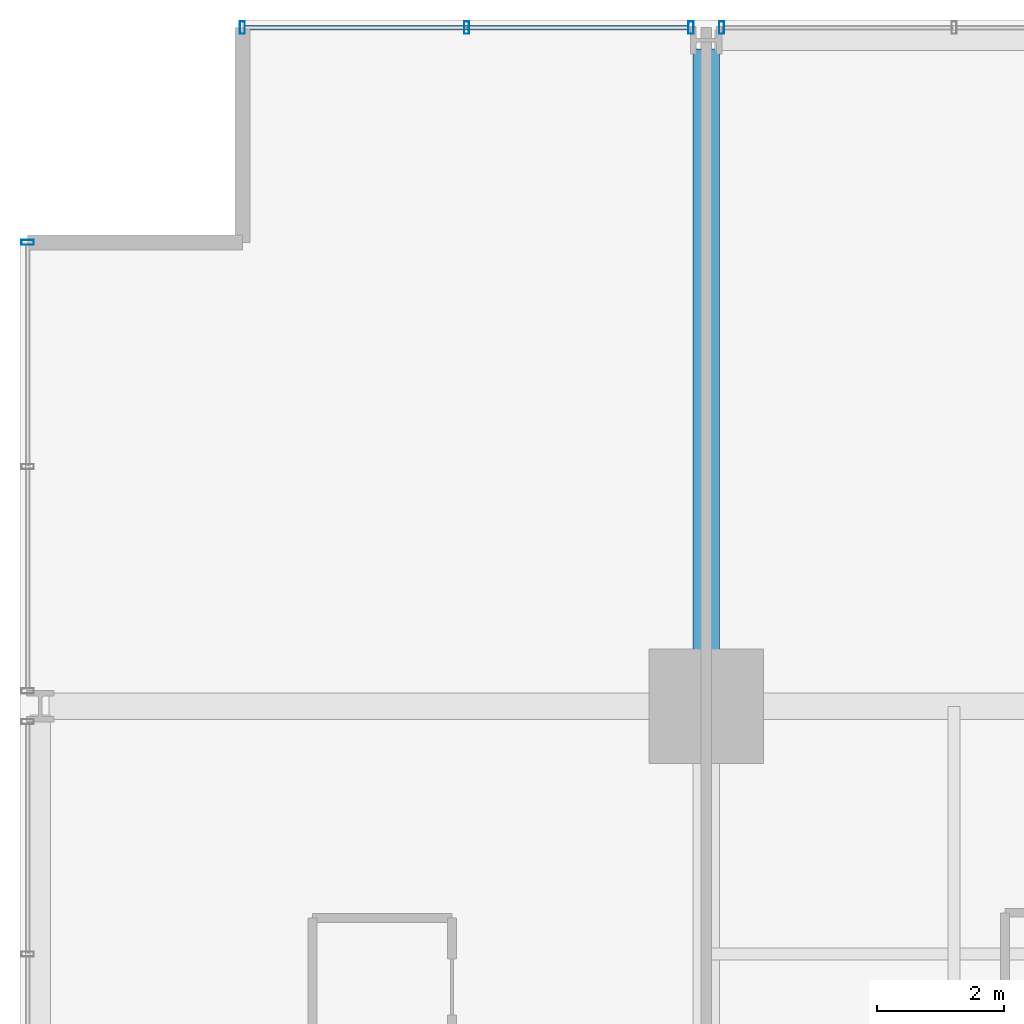
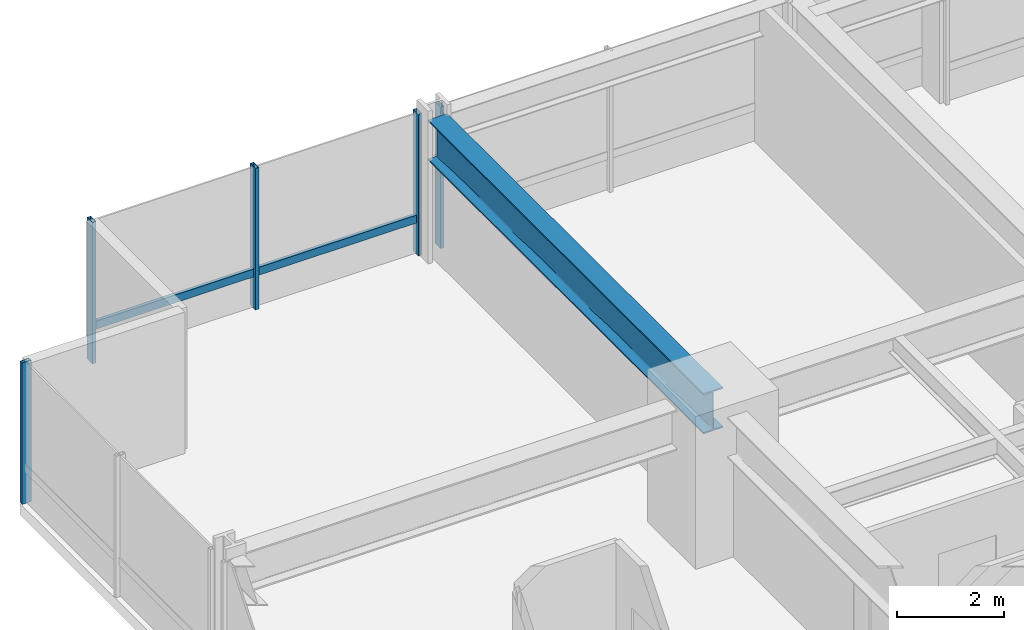
# One storey, part 21 of 37: 6 members, 1 beam, 3 elements without a shape of their own.
"""IFC4 building model written with IfcOpenShell, lengths in metres."""

from ifc_helpers import new_model, si_unit, direction, frame, origin, origin_2d, place, context, subcontext, project, spatial, hollow_rectangle, i_section, extrude, material, layer, layer_set, material_profile, profile_set, type_object, element, aggregate, save


model = new_model("IFC4")

# Units and contexts
model_context = context("Model", 3, precision=1e-05, world=origin(), true_north=direction((0.0, 1.0)))
body_context = subcontext(model_context, "Body", "Model", "MODEL_VIEW")
ifc_project = project(units=[si_unit("LENGTHUNIT", "METRE"), si_unit("AREAUNIT", "SQUARE_METRE"), si_unit("VOLUMEUNIT", "CUBIC_METRE"), si_unit("PLANEANGLEUNIT", "RADIAN"), si_unit("MASSUNIT", "GRAM", prefix="KILO")], contexts=[model_context])

# Site, building, storey
site_placement = place(None, origin())
site = spatial("IfcSite", under=ifc_project, at=site_placement, CompositionType="ELEMENT")
building_placement = place(site_placement, origin())
building = spatial("IfcBuilding", under=site, at=building_placement, Name="Drelvath Grand Hotel", CompositionType="ELEMENT")
storey_placement = place(building_placement, frame((0.0, 0.0, 43.699951171875)))
storey = spatial("IfcBuildingStorey", under=building, at=storey_placement, Name="L09", CompositionType="ELEMENT", Elevation=43.699951171875)

# Curtain wall, member
ifc_material_1 = material(Name="Warm Bronze Anodised Aluminium Frame", Category="aluminium")
ifc_layer = layer(ifc_material_1, 0.199951171875)
ifc_layer_set = layer_set([ifc_layer], Name="Warm Bronze Anodised Aluminium Frame")
curtain_wall_type = type_object("IfcCurtainWallType", Name="Stick Curtain Wall CW-02 Warm Bronze Low-Rise", PredefinedType="NOTDEFINED", material=ifc_layer_set)
curtain_wall_1_placement = place(storey_placement, origin())
curtain_wall_1 = element("IfcCurtainWall", 1, at=curtain_wall_1_placement, inside=storey, type_object=curtain_wall_type, Name="L09 CW-02 Curtain Wall CW02-L09-NW1", PredefinedType="NOTDEFINED")
ifc_material_profile_1 = material_profile(ifc_material_1, hollow_rectangle(XDim=0.074951171875, YDim=0.179931640625, WallThickness=0.0048828125, at=origin_2d()), Name="HSS180X75X5")
ifc_profile_set_1 = profile_set([ifc_material_profile_1], Name="Warm Bronze Anodised Aluminium Frame")
member_type_1 = type_object("IfcMemberType", Name="Curtain Wall Horizontal Transom CW-02 HSS180X75X5", PredefinedType="USERDEFINED", material=ifc_profile_set_1)
member_1_placement = place(storey_placement, frame((-23.4599609375, 53.8798828125, 0.81005859375), z_axis=(1.0, 0.0, 0.0), x_axis=(0.0, 1.0, 0.0)))
member_1 = element("IfcMember", 2, at=member_1_placement, type_object=member_type_1, Name="CW02-L09-NW1 Sill Transom", ObjectType="TRANSOM", PredefinedType="USERDEFINED", context=body_context, shape_type="SweptSolid", body=[
    extrude(hollow_rectangle(XDim=0.074951171875, YDim=0.179931640625, WallThickness=0.0048828125, at=origin_2d()), origin(), (0.0, 0.0, 1.0), 6.97900390625),
])

curtain_wall_2_placement = place(storey_placement, origin())
curtain_wall_2 = element("IfcCurtainWall", 3, at=curtain_wall_2_placement, inside=storey, type_object=curtain_wall_type, Name="L09 CW-02 Curtain Wall CW02-L09-WN3", PredefinedType="NOTDEFINED")
ifc_material_profile_2 = material_profile(ifc_material_1, hollow_rectangle(XDim=0.080078125, YDim=0.199951171875, WallThickness=0.0048828125, at=origin_2d()), Name="HSS200X80X5")
ifc_profile_set_2 = profile_set([ifc_material_profile_2], Name="Warm Bronze Anodised Aluminium Frame")
member_type_2 = type_object("IfcMemberType", Name="Curtain Wall Vertical Mullion CW-02 HSS200X80X5", PredefinedType="MULLION", material=ifc_profile_set_2)
member_2_placement = place(storey_placement, frame((-26.8798828125, 50.5, 0.0), z_axis=(0.0, 0.0, 1.0), x_axis=(0.0, 1.0, 0.0)))
member_2 = element("IfcMember", 4, at=member_2_placement, type_object=member_type_2, Name="CW02-L09-WN3 Mullion 3", PredefinedType="MULLION", context=body_context, shape_type="SweptSolid", body=[
    extrude(hollow_rectangle(XDim=0.080078125, YDim=0.199951171875, WallThickness=0.0048828125, at=origin_2d()), origin(), (0.0, 0.0, 1.0), 3.239990234375),
])
aggregate(curtain_wall_2, [member_2])

# Member
member_3_placement = place(storey_placement, frame((-23.5, 53.8798828125, 0.0), z_axis=(0.0, 0.0, 1.0), x_axis=(1.0, 0.0, 0.0)))
member_3 = element("IfcMember", 5, at=member_3_placement, type_object=member_type_2, Name="CW02-L09-NW1 Mullion 1", PredefinedType="MULLION", context=body_context, shape_type="SweptSolid", body=[
    extrude(hollow_rectangle(XDim=0.080078125, YDim=0.199951171875, WallThickness=0.0048828125, at=origin_2d()), origin(), (0.0, 0.0, 1.0), 3.239990234375),
])

member_4_placement = place(storey_placement, frame((-19.970458984375, 53.8798828125, 0.0), z_axis=(0.0, 0.0, 1.0), x_axis=(1.0, 0.0, 0.0)))
member_4 = element("IfcMember", 6, at=member_4_placement, type_object=member_type_2, Name="CW02-L09-NW1 Mullion 2", PredefinedType="MULLION", context=body_context, shape_type="SweptSolid", body=[
    extrude(hollow_rectangle(XDim=0.080078125, YDim=0.199951171875, WallThickness=0.0048828125, at=origin_2d()), origin(), (0.0, 0.0, 1.0), 3.239990234375),
])

member_5_placement = place(storey_placement, frame((-16.44091796875, 53.8798828125, 0.0), z_axis=(0.0, 0.0, 1.0), x_axis=(1.0, 0.0, 0.0)))
member_5 = element("IfcMember", 7, at=member_5_placement, type_object=member_type_2, Name="CW02-L09-NW1 Mullion 3", PredefinedType="MULLION", context=body_context, shape_type="SweptSolid", body=[
    extrude(hollow_rectangle(XDim=0.080078125, YDim=0.199951171875, WallThickness=0.0048828125, at=origin_2d()), origin(), (0.0, 0.0, 1.0), 3.239990234375),
])

aggregate(curtain_wall_1, [member_3, member_4, member_5, member_1])

# Curtain wall, member
curtain_wall_3_placement = place(storey_placement, origin())
curtain_wall_3 = element("IfcCurtainWall", 8, at=curtain_wall_3_placement, inside=storey, type_object=curtain_wall_type, Name="L09 CW-02 Curtain Wall CW02-L09-NW2", PredefinedType="NOTDEFINED")
member_6_placement = place(storey_placement, frame((-15.958984375, 53.8798828125, 0.0), z_axis=(0.0, 0.0, 1.0), x_axis=(1.0, 0.0, 0.0)))
member_6 = element("IfcMember", 9, at=member_6_placement, type_object=member_type_2, Name="CW02-L09-NW2 Mullion 1", PredefinedType="MULLION", context=body_context, shape_type="SweptSolid", body=[
    extrude(hollow_rectangle(XDim=0.080078125, YDim=0.199951171875, WallThickness=0.0048828125, at=origin_2d()), origin(), (0.0, 0.0, 1.0), 3.239990234375),
])
aggregate(curtain_wall_3, [member_6])

# Beam
ifc_material_2 = material(Name="Steel ASTM A992 Gr 50", Category="steel")
ifc_material_profile_3 = material_profile(ifc_material_2, i_section(OverallWidth=0.418212890625, OverallDepth=0.926513671875, WebThickness=0.019287109375, FlangeThickness=0.031982421875, FilletRadius=0.028076171875, at=origin_2d()), Name="W36X231")
ifc_profile_set_3 = profile_set([ifc_material_profile_3], Name="Steel ASTM A992 Gr 50")
beam_type = type_object("IfcBeamType", Name="Primary Floor Girder W36X231", PredefinedType="BEAM", material=ifc_profile_set_3)
beam_placement = place(storey_placement, frame((-16.199951171875, 43.199951171875, 2.77685546875), z_axis=(0.0, 1.0, 0.0), x_axis=(-1.0, 0.0, 0.0)))
element("IfcBeam", 10, at=beam_placement, inside=storey, type_object=beam_type, Name="L09 North Grid Girder 3", PredefinedType="BEAM", context=body_context, shape_type="SweptSolid", body=[
    extrude(i_section(OverallWidth=0.418212890625, OverallDepth=0.926513671875, WebThickness=0.019287109375, FlangeThickness=0.031982421875, FilletRadius=0.028076171875, at=origin_2d()), origin(), (0.0, 0.0, 1.0), 10.340087890625),
])

save(model, "model.ifc")
